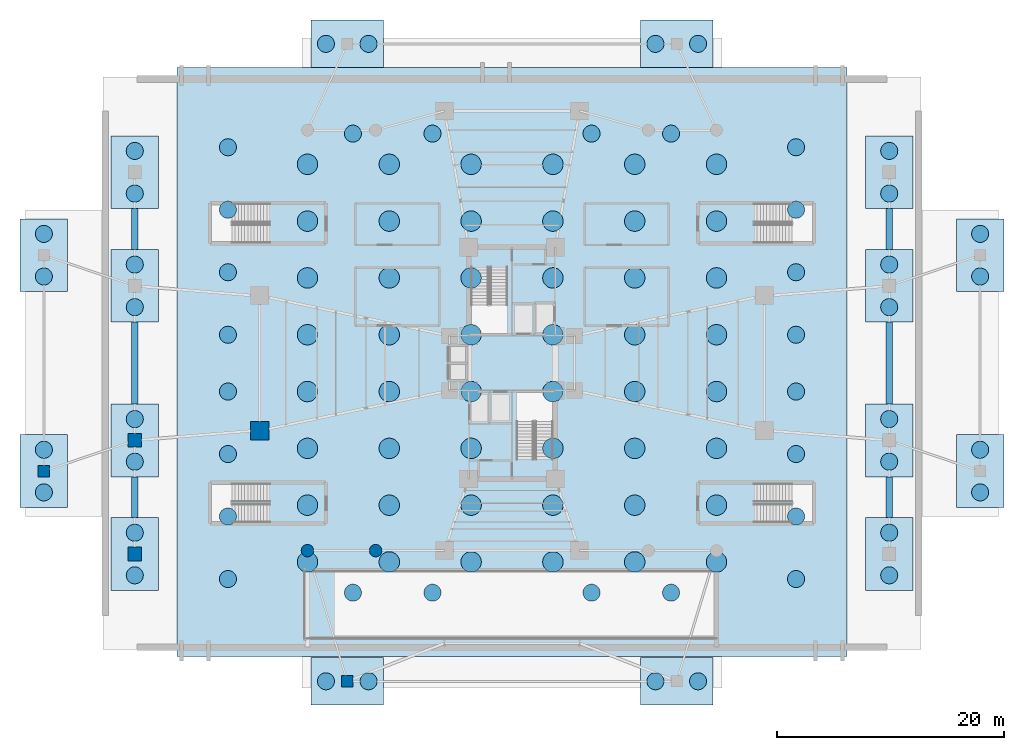
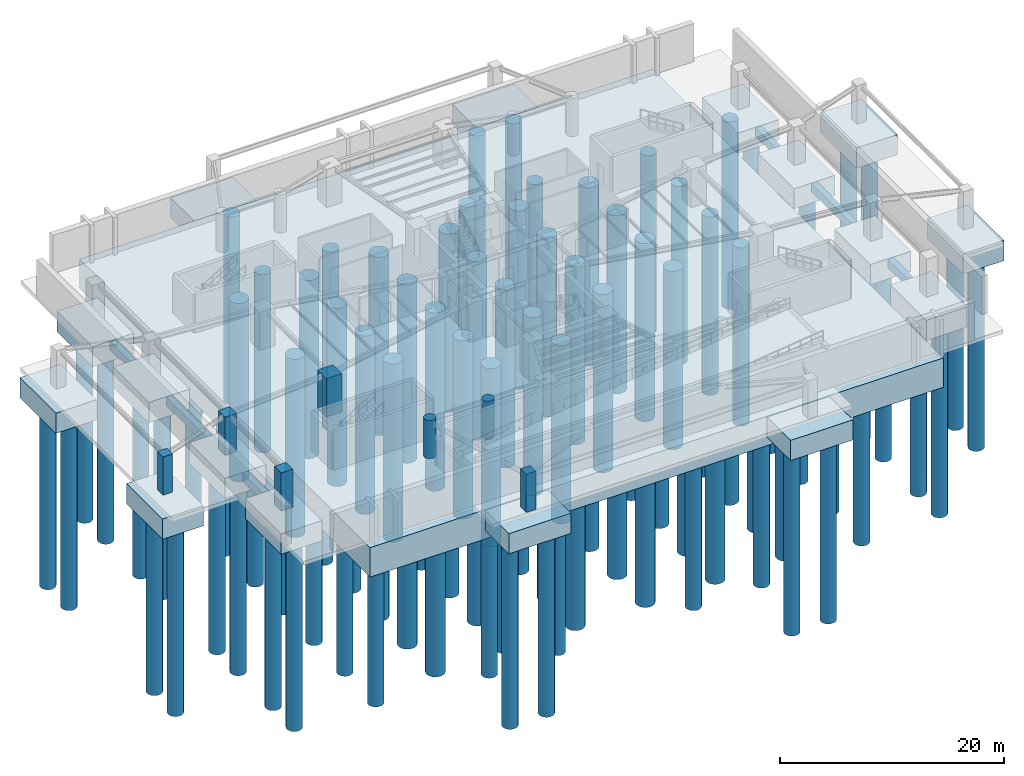
# One storey, part 1 of 15: 104 piles, 23 footings, 7 columns.
"""IFC4 building model written with IfcOpenShell, lengths in metres."""

from ifc_helpers import new_model, si_unit, direction, frame, origin, origin_2d, place, context, subcontext, project, spatial, polyline, rectangle, circle, outline, extrude, source, transform, mapped, material, layer, layer_set, material_profile, profile_set, type_object, element, save


model = new_model("IFC4")

# Units and contexts
model_context = context("Model", 3, precision=1e-05, world=origin(), true_north=direction((0.0, 1.0)))
body_context = subcontext(model_context, "Body", "Model", "MODEL_VIEW")
ifc_project = project(units=[si_unit("LENGTHUNIT", "METRE"), si_unit("AREAUNIT", "SQUARE_METRE"), si_unit("VOLUMEUNIT", "CUBIC_METRE"), si_unit("PLANEANGLEUNIT", "RADIAN"), si_unit("MASSUNIT", "GRAM", prefix="KILO")], contexts=[model_context])

# Site, building, storey
site_placement = place(None, origin())
site = spatial("IfcSite", under=ifc_project, at=site_placement, CompositionType="ELEMENT")
building_placement = place(site_placement, origin())
building = spatial("IfcBuilding", under=site, at=building_placement, Name="Sahyath Konkavel Grand Hotel", CompositionType="ELEMENT")
storey_placement = place(building_placement, frame((0.0, 0.0, -9.0)))
storey = spatial("IfcBuildingStorey", under=building, at=storey_placement, Name="B2", CompositionType="ELEMENT", Elevation=-9.0)

# Footings
ifc_material_1 = material(Name="Concrete C50/60", Category="concrete")
ifc_layer_1 = layer(ifc_material_1, 2.199951171875)
ifc_layer_set_1 = layer_set([ifc_layer_1], Name="Concrete C50/60")
footing_type_1 = type_object("IfcFootingType", Name="PCAP-6400", PredefinedType="PAD_FOOTING", material=ifc_layer_set_1)
footing_1_placement = place(storey_placement, frame((0.0, 0.0, -2.60009765625)))
element("IfcFooting", 1, at=footing_1_placement, inside=storey, type_object=footing_type_1, Name="Podium Perimeter Pile Cap PC-E1", PredefinedType="PAD_FOOTING", context=body_context, shape_type="SweptSolid", body=[
    extrude(outline(polyline([(31.10009765625, -20.0), (35.300048828125, -20.0), (35.300048828125, -13.60009765625), (31.10009765625, -13.60009765625), (31.10009765625, -20.0)])), origin(), (0.0, 0.0, 1.0), 2.2001953125),
])
footing_2_placement = place(storey_placement, frame((0.0, 0.0, -2.60009765625)))
element("IfcFooting", 2, at=footing_2_placement, inside=storey, type_object=footing_type_1, Name="Podium Perimeter Pile Cap PC-E2", PredefinedType="PAD_FOOTING", context=body_context, shape_type="SweptSolid", body=[
    extrude(outline(polyline([(31.10009765625, -10.0), (35.300048828125, -10.0), (35.300048828125, -3.60009765625), (31.10009765625, -3.60009765625), (31.10009765625, -10.0)])), origin(), (0.0, 0.0, 1.0), 2.2001953125),
])
footing_3_placement = place(storey_placement, frame((0.0, 0.0, -2.60009765625)))
element("IfcFooting", 3, at=footing_3_placement, inside=storey, type_object=footing_type_1, Name="Podium Perimeter Pile Cap PC-E3", PredefinedType="PAD_FOOTING", context=body_context, shape_type="SweptSolid", body=[
    extrude(outline(polyline([(31.10009765625, 3.60009765625), (35.300048828125, 3.60009765625), (35.300048828125, 10.0), (31.10009765625, 10.0), (31.10009765625, 3.60009765625)])), origin(), (0.0, 0.0, 1.0), 2.2001953125),
])
footing_4_placement = place(storey_placement, frame((0.0, 0.0, -2.60009765625)))
element("IfcFooting", 4, at=footing_4_placement, inside=storey, type_object=footing_type_1, Name="Podium Perimeter Pile Cap PC-E4", PredefinedType="PAD_FOOTING", context=body_context, shape_type="SweptSolid", body=[
    extrude(outline(polyline([(31.10009765625, 13.60009765625), (35.300048828125, 13.60009765625), (35.300048828125, 20.0), (31.10009765625, 20.0), (31.10009765625, 13.60009765625)])), origin(), (0.0, 0.0, 1.0), 2.2001953125),
])
footing_5_placement = place(storey_placement, frame((0.0, 0.0, -2.60009765625)))
element("IfcFooting", 5, at=footing_5_placement, inside=storey, type_object=footing_type_1, Name="Podium Perimeter Pile Cap PC-W1", PredefinedType="PAD_FOOTING", context=body_context, shape_type="SweptSolid", body=[
    extrude(outline(polyline([(-35.300048828125, -20.0), (-31.10009765625, -20.0), (-31.10009765625, -13.60009765625), (-35.300048828125, -13.60009765625), (-35.300048828125, -20.0)])), origin(), (0.0, 0.0, 1.0), 2.2001953125),
])
footing_6_placement = place(storey_placement, frame((0.0, 0.0, -2.60009765625)))
element("IfcFooting", 6, at=footing_6_placement, inside=storey, type_object=footing_type_1, Name="Podium Perimeter Pile Cap PC-W2", PredefinedType="PAD_FOOTING", context=body_context, shape_type="SweptSolid", body=[
    extrude(outline(polyline([(-35.300048828125, -10.0), (-31.10009765625, -10.0), (-31.10009765625, -3.60009765625), (-35.300048828125, -3.60009765625), (-35.300048828125, -10.0)])), origin(), (0.0, 0.0, 1.0), 2.2001953125),
])
footing_7_placement = place(storey_placement, frame((0.0, 0.0, -2.60009765625)))
element("IfcFooting", 7, at=footing_7_placement, inside=storey, type_object=footing_type_1, Name="Podium Perimeter Pile Cap PC-W3", PredefinedType="PAD_FOOTING", context=body_context, shape_type="SweptSolid", body=[
    extrude(outline(polyline([(-35.300048828125, 3.60009765625), (-31.10009765625, 3.60009765625), (-31.10009765625, 10.0), (-35.300048828125, 10.0), (-35.300048828125, 3.60009765625)])), origin(), (0.0, 0.0, 1.0), 2.2001953125),
])
footing_8_placement = place(storey_placement, frame((0.0, 0.0, -2.60009765625)))
element("IfcFooting", 8, at=footing_8_placement, inside=storey, type_object=footing_type_1, Name="Podium Perimeter Pile Cap PC-W4", PredefinedType="PAD_FOOTING", context=body_context, shape_type="SweptSolid", body=[
    extrude(outline(polyline([(-35.300048828125, 13.60009765625), (-31.10009765625, 13.60009765625), (-31.10009765625, 20.0), (-35.300048828125, 20.0), (-35.300048828125, 13.60009765625)])), origin(), (0.0, 0.0, 1.0), 2.2001953125),
])
footing_9_placement = place(storey_placement, frame((0.0, 0.0, -2.60009765625)))
element("IfcFooting", 9, at=footing_9_placement, inside=storey, type_object=footing_type_1, Name="Podium Perimeter Pile Cap PW-E1", PredefinedType="PAD_FOOTING", context=body_context, shape_type="SweptSolid", body=[
    extrude(outline(polyline([(39.10009765625, -12.699951171875), (43.300048828125, -12.699951171875), (43.300048828125, -6.300048828125), (39.10009765625, -6.300048828125), (39.10009765625, -12.699951171875)])), origin(), (0.0, 0.0, 1.0), 2.2001953125),
])
footing_10_placement = place(storey_placement, frame((0.0, 0.0, -2.60009765625)))
element("IfcFooting", 10, at=footing_10_placement, inside=storey, type_object=footing_type_1, Name="Podium Perimeter Pile Cap PW-E2", PredefinedType="PAD_FOOTING", context=body_context, shape_type="SweptSolid", body=[
    extrude(outline(polyline([(39.10009765625, 6.300048828125), (43.300048828125, 6.300048828125), (43.300048828125, 12.699951171875), (39.10009765625, 12.699951171875), (39.10009765625, 6.300048828125)])), origin(), (0.0, 0.0, 1.0), 2.2001953125),
])
footing_11_placement = place(storey_placement, frame((0.0, 0.0, -2.60009765625)))
element("IfcFooting", 11, at=footing_11_placement, inside=storey, type_object=footing_type_1, Name="Podium Perimeter Pile Cap PW-W1", PredefinedType="PAD_FOOTING", context=body_context, shape_type="SweptSolid", body=[
    extrude(outline(polyline([(-43.300048828125, -12.699951171875), (-39.10009765625, -12.699951171875), (-39.10009765625, -6.300048828125), (-43.300048828125, -6.300048828125), (-43.300048828125, -12.699951171875)])), origin(), (0.0, 0.0, 1.0), 2.2001953125),
])
footing_12_placement = place(storey_placement, frame((0.0, 0.0, -2.60009765625)))
element("IfcFooting", 12, at=footing_12_placement, inside=storey, type_object=footing_type_1, Name="Podium Perimeter Pile Cap PW-W2", PredefinedType="PAD_FOOTING", context=body_context, shape_type="SweptSolid", body=[
    extrude(outline(polyline([(-43.300048828125, 6.300048828125), (-39.10009765625, 6.300048828125), (-39.10009765625, 12.699951171875), (-43.300048828125, 12.699951171875), (-43.300048828125, 6.300048828125)])), origin(), (0.0, 0.0, 1.0), 2.2001953125),
])
footing_13_placement = place(storey_placement, frame((0.0, 0.0, -2.60009765625)))
element("IfcFooting", 13, at=footing_13_placement, inside=storey, type_object=footing_type_1, Name="Podium Perimeter Pile Cap PW-N1", PredefinedType="PAD_FOOTING", context=body_context, shape_type="SweptSolid", body=[
    extrude(outline(polyline([(-17.699951171875, 26.0), (-11.300048828125, 26.0), (-11.300048828125, 30.199951171875), (-17.699951171875, 30.199951171875), (-17.699951171875, 26.0)])), origin(), (0.0, 0.0, 1.0), 2.2001953125),
])
footing_14_placement = place(storey_placement, frame((0.0, 0.0, -2.60009765625)))
element("IfcFooting", 14, at=footing_14_placement, inside=storey, type_object=footing_type_1, Name="Podium Perimeter Pile Cap PW-N2", PredefinedType="PAD_FOOTING", context=body_context, shape_type="SweptSolid", body=[
    extrude(outline(polyline([(11.300048828125, 26.0), (17.699951171875, 26.0), (17.699951171875, 30.199951171875), (11.300048828125, 30.199951171875), (11.300048828125, 26.0)])), origin(), (0.0, 0.0, 1.0), 2.2001953125),
])
footing_15_placement = place(storey_placement, frame((0.0, 0.0, -2.60009765625)))
element("IfcFooting", 15, at=footing_15_placement, inside=storey, type_object=footing_type_1, Name="Podium Perimeter Pile Cap PW-S1", PredefinedType="PAD_FOOTING", context=body_context, shape_type="SweptSolid", body=[
    extrude(outline(polyline([(-17.699951171875, -30.10009765625), (-11.300048828125, -30.10009765625), (-11.300048828125, -25.89990234375), (-17.699951171875, -25.89990234375), (-17.699951171875, -30.10009765625)])), origin(), (0.0, 0.0, 1.0), 2.2001953125),
])
footing_16_placement = place(storey_placement, frame((0.0, 0.0, -2.60009765625)))
element("IfcFooting", 16, at=footing_16_placement, inside=storey, type_object=footing_type_1, Name="Podium Perimeter Pile Cap PW-S2", PredefinedType="PAD_FOOTING", context=body_context, shape_type="SweptSolid", body=[
    extrude(outline(polyline([(11.300048828125, -30.10009765625), (17.699951171875, -30.10009765625), (17.699951171875, -25.89990234375), (11.300048828125, -25.89990234375), (11.300048828125, -30.10009765625)])), origin(), (0.0, 0.0, 1.0), 2.2001953125),
])

# Piles
ifc_material_profile_1 = material_profile(ifc_material_1, circle(Radius=0.75, at=origin_2d()), Name="PILE D1500")
ifc_profile_set_1 = profile_set([ifc_material_profile_1], Name="Concrete C50/60")
pile_type_1 = type_object("IfcPileType", Name="PILE-1500", PredefinedType="BORED", material=ifc_profile_set_1)
for number, where, z_axis, x_axis, name in (
    (17, (-25.0, -19.0, -3.5), (0.0, 0.0, -1.0), (1.0, 0.0, 0.0), "Rock-Socketed Bored Pile P15-01"),
    (18, (-25.0, -13.5, -3.5), (0.0, 0.0, -1.0), (1.0, 0.0, 0.0), "Rock-Socketed Bored Pile P15-02"),
    (19, (-25.0, -8.0, -3.5), (0.0, 0.0, -1.0), (1.0, 0.0, 0.0), "Rock-Socketed Bored Pile P15-03"),
    (20, (-25.0, -2.5, -3.5), (0.0, 0.0, -1.0), (1.0, 0.0, 0.0), "Rock-Socketed Bored Pile P15-04"),
    (21, (-25.0, 2.5, -3.5), (0.0, 0.0, -1.0), (1.0, 0.0, 0.0), "Rock-Socketed Bored Pile P15-05"),
    (22, (-25.0, 8.0, -3.5), (0.0, 0.0, -1.0), (1.0, 0.0, 0.0), "Rock-Socketed Bored Pile P15-06"),
    (23, (-25.0, 13.5, -3.5), (0.0, 0.0, -1.0), (1.0, 0.0, 0.0), "Rock-Socketed Bored Pile P15-07"),
    (24, (-25.0, 19.0, -3.5), (0.0, 0.0, -1.0), (1.0, 0.0, 0.0), "Rock-Socketed Bored Pile P15-08"),
    (25, (25.0, -19.0, -3.5), (0.0, 0.0, -1.0), (1.0, 0.0, 0.0), "Rock-Socketed Bored Pile P15-09"),
    (26, (25.0, -13.5, -3.5), (0.0, 0.0, -1.0), (1.0, 0.0, 0.0), "Rock-Socketed Bored Pile P15-10"),
    (27, (25.0, -8.0, -3.5), (0.0, 0.0, -1.0), (1.0, 0.0, 0.0), "Rock-Socketed Bored Pile P15-11"),
    (28, (25.0, -2.5, -3.5), (0.0, 0.0, -1.0), (1.0, 0.0, 0.0), "Rock-Socketed Bored Pile P15-12"),
    (29, (25.0, 2.5, -3.5), (0.0, 0.0, -1.0), (1.0, 0.0, 0.0), "Rock-Socketed Bored Pile P15-13"),
    (30, (25.0, 8.0, -3.5), (0.0, 0.0, -1.0), (1.0, 0.0, 0.0), "Rock-Socketed Bored Pile P15-14"),
    (31, (25.0, 13.5, -3.5), (0.0, 0.0, -1.0), (1.0, 0.0, 0.0), "Rock-Socketed Bored Pile P15-15"),
    (32, (25.0, 19.0, -3.5), (0.0, 0.0, -1.0), (1.0, 0.0, 0.0), "Rock-Socketed Bored Pile P15-16"),
    (33, (-14.0, -20.199951171875, -3.5), (0.0, 0.0, -1.0), (1.0, 0.0, 0.0), "Rock-Socketed Bored Pile P15-17"),
    (34, (-14.0, 20.199951171875, -3.5), (0.0, 0.0, -1.0), (1.0, 0.0, 0.0), "Rock-Socketed Bored Pile P15-18"),
    (35, (-7.0, -20.199951171875, -3.5), (0.0, 0.0, -1.0), (1.0, 0.0, 0.0), "Rock-Socketed Bored Pile P15-19"),
    (36, (-7.0, 20.199951171875, -3.5), (0.0, 0.0, -1.0), (1.0, 0.0, 0.0), "Rock-Socketed Bored Pile P15-20"),
    (37, (7.0, -20.199951171875, -3.5), (0.0, 0.0, -1.0), (1.0, 0.0, 0.0), "Rock-Socketed Bored Pile P15-21"),
    (38, (7.0, 20.199951171875, -3.5), (0.0, 0.0, -1.0), (1.0, 0.0, 0.0), "Rock-Socketed Bored Pile P15-22"),
    (39, (14.0, -20.199951171875, -3.5), (0.0, 0.0, -1.0), (1.0, 0.0, 0.0), "Rock-Socketed Bored Pile P15-23"),
    (40, (14.0, 20.199951171875, -3.5), (0.0, 0.0, -1.0), (1.0, 0.0, 0.0), "Rock-Socketed Bored Pile P15-24"),
):
    element("IfcPile", number, at=place(storey_placement, frame(where, z_axis=z_axis, x_axis=x_axis)), inside=storey, type_object=pile_type_1, Name=name, PredefinedType="BORED", context=body_context, shape_type="SweptSolid", body=[
        extrude(circle(Radius=0.75, at=origin_2d()), origin(), (0.0, 0.0, 1.0), 19.39990234375),
    ])
for number, where, z_axis, x_axis, name in (
    (41, (33.199951171875, -18.675048828125, -2.5), (0.0, 0.0, -1.0), (1.0, 0.0, 0.0), "Rock-Socketed Bored Pile P15-25"),
    (42, (33.199951171875, -14.925048828125, -2.5), (0.0, 0.0, -1.0), (1.0, 0.0, 0.0), "Rock-Socketed Bored Pile P15-26"),
    (43, (33.199951171875, -8.675048828125, -2.5), (0.0, 0.0, -1.0), (1.0, 0.0, 0.0), "Rock-Socketed Bored Pile P15-27"),
    (44, (33.199951171875, -4.925048828125, -2.5), (0.0, 0.0, -1.0), (1.0, 0.0, 0.0), "Rock-Socketed Bored Pile P15-28"),
    (45, (33.199951171875, 4.925048828125, -2.5), (0.0, 0.0, -1.0), (1.0, 0.0, 0.0), "Rock-Socketed Bored Pile P15-29"),
    (46, (33.199951171875, 8.675048828125, -2.5), (0.0, 0.0, -1.0), (1.0, 0.0, 0.0), "Rock-Socketed Bored Pile P15-30"),
    (47, (33.199951171875, 14.925048828125, -2.5), (0.0, 0.0, -1.0), (1.0, 0.0, 0.0), "Rock-Socketed Bored Pile P15-31"),
    (48, (33.199951171875, 18.675048828125, -2.5), (0.0, 0.0, -1.0), (1.0, 0.0, 0.0), "Rock-Socketed Bored Pile P15-32"),
    (49, (-33.199951171875, -18.675048828125, -2.5), (0.0, 0.0, -1.0), (1.0, 0.0, 0.0), "Rock-Socketed Bored Pile P15-33"),
    (50, (-33.199951171875, -14.925048828125, -2.5), (0.0, 0.0, -1.0), (1.0, 0.0, 0.0), "Rock-Socketed Bored Pile P15-34"),
    (51, (-33.199951171875, -8.675048828125, -2.5), (0.0, 0.0, -1.0), (1.0, 0.0, 0.0), "Rock-Socketed Bored Pile P15-35"),
    (52, (-33.199951171875, -4.925048828125, -2.5), (0.0, 0.0, -1.0), (1.0, 0.0, 0.0), "Rock-Socketed Bored Pile P15-36"),
    (53, (-33.199951171875, 4.925048828125, -2.5), (0.0, 0.0, -1.0), (1.0, 0.0, 0.0), "Rock-Socketed Bored Pile P15-37"),
    (54, (-33.199951171875, 8.675048828125, -2.5), (0.0, 0.0, -1.0), (1.0, 0.0, 0.0), "Rock-Socketed Bored Pile P15-38"),
    (55, (-33.199951171875, 14.925048828125, -2.5), (0.0, 0.0, -1.0), (1.0, 0.0, 0.0), "Rock-Socketed Bored Pile P15-39"),
    (56, (-33.199951171875, 18.675048828125, -2.5), (0.0, 0.0, -1.0), (1.0, 0.0, 0.0), "Rock-Socketed Bored Pile P15-40"),
    (57, (41.199951171875, -11.375, -2.5), (0.0, 0.0, -1.0), (1.0, 0.0, 0.0), "Rock-Socketed Bored Pile P15-41"),
    (58, (41.199951171875, -7.625, -2.5), (0.0, 0.0, -1.0), (1.0, 0.0, 0.0), "Rock-Socketed Bored Pile P15-42"),
    (59, (41.199951171875, 7.625, -2.5), (0.0, 0.0, -1.0), (1.0, 0.0, 0.0), "Rock-Socketed Bored Pile P15-43"),
    (60, (41.199951171875, 11.375, -2.5), (0.0, 0.0, -1.0), (1.0, 0.0, 0.0), "Rock-Socketed Bored Pile P15-44"),
    (61, (-41.199951171875, -11.375, -2.5), (0.0, 0.0, -1.0), (1.0, 0.0, 0.0), "Rock-Socketed Bored Pile P15-45"),
    (62, (-41.199951171875, -7.625, -2.5), (0.0, 0.0, -1.0), (1.0, 0.0, 0.0), "Rock-Socketed Bored Pile P15-46"),
    (63, (-41.199951171875, 7.625, -2.5), (0.0, 0.0, -1.0), (1.0, 0.0, 0.0), "Rock-Socketed Bored Pile P15-47"),
    (64, (-41.199951171875, 11.375, -2.5), (0.0, 0.0, -1.0), (1.0, 0.0, 0.0), "Rock-Socketed Bored Pile P15-48"),
    (65, (-16.375, 28.10009765625, -2.5), (0.0, 0.0, -1.0), (1.0, 0.0, 0.0), "Rock-Socketed Bored Pile P15-49"),
    (66, (-12.625, 28.10009765625, -2.5), (0.0, 0.0, -1.0), (1.0, 0.0, 0.0), "Rock-Socketed Bored Pile P15-50"),
    (67, (12.625, 28.10009765625, -2.5), (0.0, 0.0, -1.0), (1.0, 0.0, 0.0), "Rock-Socketed Bored Pile P15-51"),
    (68, (16.375, 28.10009765625, -2.5), (0.0, 0.0, -1.0), (1.0, 0.0, 0.0), "Rock-Socketed Bored Pile P15-52"),
    (69, (-16.375, -28.0, -2.5), (0.0, 0.0, -1.0), (1.0, 0.0, 0.0), "Rock-Socketed Bored Pile P15-53"),
    (70, (-12.625, -28.0, -2.5), (0.0, 0.0, -1.0), (1.0, 0.0, 0.0), "Rock-Socketed Bored Pile P15-54"),
    (71, (12.625, -28.0, -2.5), (0.0, 0.0, -1.0), (1.0, 0.0, 0.0), "Rock-Socketed Bored Pile P15-55"),
    (72, (16.375, -28.0, -2.5), (0.0, 0.0, -1.0), (1.0, 0.0, 0.0), "Rock-Socketed Bored Pile P15-56"),
):
    element("IfcPile", number, at=place(storey_placement, frame(where, z_axis=z_axis, x_axis=x_axis)), inside=storey, type_object=pile_type_1, Name=name, PredefinedType="BORED", context=body_context, shape_type="SweptSolid", body=[
        extrude(circle(Radius=0.75, at=origin_2d()), origin(), (0.0, 0.0, 1.0), 20.39990234375),
    ])
ifc_material_profile_2 = material_profile(ifc_material_1, circle(Radius=0.89990234375, at=origin_2d()), Name="PILE D1800")
ifc_profile_set_2 = profile_set([ifc_material_profile_2], Name="Concrete C50/60")
pile_type_2 = type_object("IfcPileType", Name="PILE-1800", PredefinedType="BORED", material=ifc_profile_set_2)
for number, where, z_axis, x_axis, name in (
    (73, (-18.0, -17.5, -3.5), (0.0, 0.0, -1.0), (1.0, 0.0, 0.0), "Rock-Socketed Bored Pile P18-01"),
    (74, (-18.0, -12.5, -3.5), (0.0, 0.0, -1.0), (1.0, 0.0, 0.0), "Rock-Socketed Bored Pile P18-02"),
    (75, (-18.0, -7.5, -3.5), (0.0, 0.0, -1.0), (1.0, 0.0, 0.0), "Rock-Socketed Bored Pile P18-03"),
    (76, (-18.0, -2.5, -3.5), (0.0, 0.0, -1.0), (1.0, 0.0, 0.0), "Rock-Socketed Bored Pile P18-04"),
    (77, (-18.0, 2.5, -3.5), (0.0, 0.0, -1.0), (1.0, 0.0, 0.0), "Rock-Socketed Bored Pile P18-05"),
    (78, (-18.0, 7.5, -3.5), (0.0, 0.0, -1.0), (1.0, 0.0, 0.0), "Rock-Socketed Bored Pile P18-06"),
    (79, (-18.0, 12.5, -3.5), (0.0, 0.0, -1.0), (1.0, 0.0, 0.0), "Rock-Socketed Bored Pile P18-07"),
    (80, (-18.0, 17.5, -3.5), (0.0, 0.0, -1.0), (1.0, 0.0, 0.0), "Rock-Socketed Bored Pile P18-08"),
    (81, (-10.800048828125, -17.5, -3.5), (0.0, 0.0, -1.0), (1.0, 0.0, 0.0), "Rock-Socketed Bored Pile P18-09"),
    (82, (-10.800048828125, -12.5, -3.5), (0.0, 0.0, -1.0), (1.0, 0.0, 0.0), "Rock-Socketed Bored Pile P18-10"),
    (83, (-10.800048828125, -7.5, -3.5), (0.0, 0.0, -1.0), (1.0, 0.0, 0.0), "Rock-Socketed Bored Pile P18-11"),
    (84, (-10.800048828125, -2.5, -3.5), (0.0, 0.0, -1.0), (1.0, 0.0, 0.0), "Rock-Socketed Bored Pile P18-12"),
    (85, (-10.800048828125, 2.5, -3.5), (0.0, 0.0, -1.0), (1.0, 0.0, 0.0), "Rock-Socketed Bored Pile P18-13"),
    (86, (-10.800048828125, 7.5, -3.5), (0.0, 0.0, -1.0), (1.0, 0.0, 0.0), "Rock-Socketed Bored Pile P18-14"),
    (87, (-10.800048828125, 12.5, -3.5), (0.0, 0.0, -1.0), (1.0, 0.0, 0.0), "Rock-Socketed Bored Pile P18-15"),
    (88, (-10.800048828125, 17.5, -3.5), (0.0, 0.0, -1.0), (1.0, 0.0, 0.0), "Rock-Socketed Bored Pile P18-16"),
    (89, (-3.60009765625, -17.5, -3.5), (0.0, 0.0, -1.0), (1.0, 0.0, 0.0), "Rock-Socketed Bored Pile P18-17"),
    (90, (-3.60009765625, -12.5, -3.5), (0.0, 0.0, -1.0), (1.0, 0.0, 0.0), "Rock-Socketed Bored Pile P18-18"),
    (91, (-3.60009765625, -7.5, -3.5), (0.0, 0.0, -1.0), (1.0, 0.0, 0.0), "Rock-Socketed Bored Pile P18-19"),
    (92, (-3.60009765625, -2.5, -3.5), (0.0, 0.0, -1.0), (1.0, 0.0, 0.0), "Rock-Socketed Bored Pile P18-20"),
    (93, (-3.60009765625, 2.5, -3.5), (0.0, 0.0, -1.0), (1.0, 0.0, 0.0), "Rock-Socketed Bored Pile P18-21"),
    (94, (-3.60009765625, 7.5, -3.5), (0.0, 0.0, -1.0), (1.0, 0.0, 0.0), "Rock-Socketed Bored Pile P18-22"),
    (95, (-3.60009765625, 12.5, -3.5), (0.0, 0.0, -1.0), (1.0, 0.0, 0.0), "Rock-Socketed Bored Pile P18-23"),
    (96, (-3.60009765625, 17.5, -3.5), (0.0, 0.0, -1.0), (1.0, 0.0, 0.0), "Rock-Socketed Bored Pile P18-24"),
    (97, (3.60009765625, -17.5, -3.5), (0.0, 0.0, -1.0), (1.0, 0.0, 0.0), "Rock-Socketed Bored Pile P18-25"),
    (98, (3.60009765625, -12.5, -3.5), (0.0, 0.0, -1.0), (1.0, 0.0, 0.0), "Rock-Socketed Bored Pile P18-26"),
    (99, (3.60009765625, -7.5, -3.5), (0.0, 0.0, -1.0), (1.0, 0.0, 0.0), "Rock-Socketed Bored Pile P18-27"),
    (100, (3.60009765625, -2.5, -3.5), (0.0, 0.0, -1.0), (1.0, 0.0, 0.0), "Rock-Socketed Bored Pile P18-28"),
    (101, (3.60009765625, 2.5, -3.5), (0.0, 0.0, -1.0), (1.0, 0.0, 0.0), "Rock-Socketed Bored Pile P18-29"),
    (102, (3.60009765625, 7.5, -3.5), (0.0, 0.0, -1.0), (1.0, 0.0, 0.0), "Rock-Socketed Bored Pile P18-30"),
    (103, (3.60009765625, 12.5, -3.5), (0.0, 0.0, -1.0), (1.0, 0.0, 0.0), "Rock-Socketed Bored Pile P18-31"),
    (104, (3.60009765625, 17.5, -3.5), (0.0, 0.0, -1.0), (1.0, 0.0, 0.0), "Rock-Socketed Bored Pile P18-32"),
    (105, (10.800048828125, -17.5, -3.5), (0.0, 0.0, -1.0), (1.0, 0.0, 0.0), "Rock-Socketed Bored Pile P18-33"),
    (106, (10.800048828125, -12.5, -3.5), (0.0, 0.0, -1.0), (1.0, 0.0, 0.0), "Rock-Socketed Bored Pile P18-34"),
    (107, (10.800048828125, -7.5, -3.5), (0.0, 0.0, -1.0), (1.0, 0.0, 0.0), "Rock-Socketed Bored Pile P18-35"),
    (108, (10.800048828125, -2.5, -3.5), (0.0, 0.0, -1.0), (1.0, 0.0, 0.0), "Rock-Socketed Bored Pile P18-36"),
    (109, (10.800048828125, 2.5, -3.5), (0.0, 0.0, -1.0), (1.0, 0.0, 0.0), "Rock-Socketed Bored Pile P18-37"),
    (110, (10.800048828125, 7.5, -3.5), (0.0, 0.0, -1.0), (1.0, 0.0, 0.0), "Rock-Socketed Bored Pile P18-38"),
    (111, (10.800048828125, 12.5, -3.5), (0.0, 0.0, -1.0), (1.0, 0.0, 0.0), "Rock-Socketed Bored Pile P18-39"),
    (112, (10.800048828125, 17.5, -3.5), (0.0, 0.0, -1.0), (1.0, 0.0, 0.0), "Rock-Socketed Bored Pile P18-40"),
    (113, (18.0, -17.5, -3.5), (0.0, 0.0, -1.0), (1.0, 0.0, 0.0), "Rock-Socketed Bored Pile P18-41"),
    (114, (18.0, -12.5, -3.5), (0.0, 0.0, -1.0), (1.0, 0.0, 0.0), "Rock-Socketed Bored Pile P18-42"),
    (115, (18.0, -7.5, -3.5), (0.0, 0.0, -1.0), (1.0, 0.0, 0.0), "Rock-Socketed Bored Pile P18-43"),
    (116, (18.0, -2.5, -3.5), (0.0, 0.0, -1.0), (1.0, 0.0, 0.0), "Rock-Socketed Bored Pile P18-44"),
    (117, (18.0, 2.5, -3.5), (0.0, 0.0, -1.0), (1.0, 0.0, 0.0), "Rock-Socketed Bored Pile P18-45"),
    (118, (18.0, 7.5, -3.5), (0.0, 0.0, -1.0), (1.0, 0.0, 0.0), "Rock-Socketed Bored Pile P18-46"),
    (119, (18.0, 12.5, -3.5), (0.0, 0.0, -1.0), (1.0, 0.0, 0.0), "Rock-Socketed Bored Pile P18-47"),
    (120, (18.0, 17.5, -3.5), (0.0, 0.0, -1.0), (1.0, 0.0, 0.0), "Rock-Socketed Bored Pile P18-48"),
):
    element("IfcPile", number, at=place(storey_placement, frame(where, z_axis=z_axis, x_axis=x_axis)), inside=storey, type_object=pile_type_2, Name=name, PredefinedType="BORED", context=body_context, shape_type="SweptSolid", body=[
        extrude(circle(Radius=0.89990234375, at=origin_2d()), origin(), (0.0, 0.0, 1.0), 19.39990234375),
    ])

# Footings
ifc_layer_2 = layer(ifc_material_1, 3.199951171875)
ifc_layer_set_2 = layer_set([ifc_layer_2], Name="Concrete C50/60")
footing_type_2 = type_object("IfcFootingType", Name="RAFT-3200", PredefinedType="PILE_CAP", material=ifc_layer_set_2)
footing_17_placement = place(storey_placement, frame((0.0, 0.0, -3.60009765625)))
element("IfcFooting", 121, at=footing_17_placement, inside=storey, type_object=footing_type_2, Name="B2 Piled Raft Foundation", PredefinedType="PILE_CAP", context=body_context, shape_type="SweptSolid", body=[
    extrude(outline(polyline([(-29.5, -25.800048828125), (29.5, -25.800048828125), (29.5, 26.0), (-29.5, 26.0), (-29.5, -25.800048828125)])), origin(), (0.0, 0.0, 1.0), 3.2001953125),
])
ifc_material_profile_3 = material_profile(ifc_material_1, rectangle(XDim=0.60009765625, YDim=0.89990234375, at=origin_2d()), Name="RC 600x900")
ifc_profile_set_3 = profile_set([ifc_material_profile_3], Name="Concrete C50/60")
footing_type_3 = type_object("IfcFootingType", Name="FTG-TIE-600x900", PredefinedType="FOOTING_BEAM", material=ifc_profile_set_3)
shared_shape_1 = source(origin(), body_context, "Body", "SweptSolid", [
    extrude(rectangle(XDim=0.60009765625, YDim=0.89990234375, at=origin_2d()), origin(), (0.0, 0.0, 1.0), 3.60009765625),
])
for number, where, z_axis, x_axis, name in (
    (122, (33.199951171875, -13.60009765625, -0.89990234375), (0.0, 1.0, 0.0), (-1.0, 0.0, 0.0), "Foundation Ground Tie Beam GTB-E1"),
    (123, (33.199951171875, 10.0, -0.89990234375), (0.0, 1.0, 0.0), (-1.0, 0.0, 0.0), "Foundation Ground Tie Beam GTB-E3"),
    (124, (-33.199951171875, -13.60009765625, -0.89990234375), (0.0, 1.0, 0.0), (-1.0, 0.0, 0.0), "Foundation Ground Tie Beam GTB-W1"),
    (125, (-33.199951171875, 10.0, -0.89990234375), (0.0, 1.0, 0.0), (-1.0, 0.0, 0.0), "Foundation Ground Tie Beam GTB-W3"),
):
    element("IfcFooting", number, at=place(storey_placement, frame(where, z_axis=z_axis, x_axis=x_axis)), inside=storey, type_object=footing_type_3, Name=name, PredefinedType="FOOTING_BEAM", context=body_context, shape_type="MappedRepresentation", body=[
        mapped(shared_shape_1, transform((0.0, 0.0, 0.0), scale=1.0)),
    ])
shared_shape_2 = source(origin(), body_context, "Body", "SweptSolid", [
    extrude(rectangle(XDim=0.60009765625, YDim=0.89990234375, at=origin_2d()), origin(), (0.0, 0.0, 1.0), 7.2001953125),
])
for number, where, z_axis, x_axis, name in (
    (126, (33.199951171875, -3.60009765625, -0.89990234375), (0.0, 1.0, 0.0), (-1.0, 0.0, 0.0), "Foundation Ground Tie Beam GTB-E2"),
    (127, (-33.199951171875, -3.60009765625, -0.89990234375), (0.0, 1.0, 0.0), (-1.0, 0.0, 0.0), "Foundation Ground Tie Beam GTB-W2"),
):
    element("IfcFooting", number, at=place(storey_placement, frame(where, z_axis=z_axis, x_axis=x_axis)), inside=storey, type_object=footing_type_3, Name=name, PredefinedType="FOOTING_BEAM", context=body_context, shape_type="MappedRepresentation", body=[
        mapped(shared_shape_2, transform((0.0, 0.0, 0.0), scale=1.0)),
    ])

# Columns
ifc_material_2 = material(Name="Concrete C70/85", Category="concrete")
ifc_material_profile_4 = material_profile(ifc_material_2, rectangle(XDim=1.60009765625, YDim=1.60009765625, at=origin_2d()), Name="RC 1600x1600")
ifc_profile_set_4 = profile_set([ifc_material_profile_4], Name="Concrete C70/85")
column_type_1 = type_object("IfcColumnType", Name="COL-RC1600", PredefinedType="COLUMN", material=ifc_profile_set_4)
shared_shape_3 = source(origin(), body_context, "Body", "SweptSolid", [
    extrude(rectangle(XDim=1.60009765625, YDim=1.60009765625, at=origin_2d()), origin(), (0.0, 0.0, 1.0), 4.14990234375),
])
column_placement = place(storey_placement, frame((-22.199951171875, -5.949951171875, 0.0), z_axis=(0.0, 0.0, 1.0), x_axis=(1.0, 0.0, 0.0)))
element("IfcColumn", 128, at=column_placement, inside=storey, type_object=column_type_1, Name="B2 Ballroom Mega-Column MC-WB", PredefinedType="COLUMN", context=body_context, shape_type="MappedRepresentation", body=[
    mapped(shared_shape_3, transform((0.0, 0.0, 0.0), scale=1.0)),
])
ifc_material_profile_5 = material_profile(ifc_material_1, rectangle(XDim=1.199951171875, YDim=1.199951171875, at=origin_2d()), Name="RC 1200x1200")
ifc_profile_set_5 = profile_set([ifc_material_profile_5], Name="Concrete C50/60")
column_type_2 = type_object("IfcColumnType", Name="COL-RC1200", PredefinedType="COLUMN", material=ifc_profile_set_5)
shared_shape_4 = source(origin(), body_context, "Body", "SweptSolid", [
    extrude(rectangle(XDim=1.199951171875, YDim=1.199951171875, at=origin_2d()), origin(), (0.0, 0.0, 1.0), 4.14990234375),
])
for number, where, z_axis, x_axis, name in (
    (129, (-33.199951171875, -16.800048828125, 0.0), (0.0, 0.0, 1.0), (1.0, 0.0, 0.0), "B2 Podium Perimeter Column PC-W1"),
    (130, (-33.199951171875, -6.800048828125, 0.0), (0.0, 0.0, 1.0), (1.0, 0.0, 0.0), "B2 Podium Perimeter Column PC-W2"),
):
    element("IfcColumn", number, at=place(storey_placement, frame(where, z_axis=z_axis, x_axis=x_axis)), inside=storey, type_object=column_type_2, Name=name, PredefinedType="COLUMN", context=body_context, shape_type="MappedRepresentation", body=[
        mapped(shared_shape_4, transform((0.0, 0.0, 0.0), scale=1.0)),
    ])
ifc_material_profile_6 = material_profile(ifc_material_2, circle(Radius=0.550048828125, at=origin_2d()), Name="RC D1100")
ifc_profile_set_6 = profile_set([ifc_material_profile_6], Name="Concrete C70/85")
column_type_3 = type_object("IfcColumnType", Name="COL-RCD1100", PredefinedType="COLUMN", material=ifc_profile_set_6)
shared_shape_5 = source(origin(), body_context, "Body", "SweptSolid", [
    extrude(circle(Radius=0.550048828125, at=origin_2d()), origin(), (0.0, 0.0, 1.0), 4.14990234375),
])
for number, where, z_axis, x_axis, name in (
    (131, (-18.0, -16.5, 0.0), (0.0, 0.0, 1.0), (1.0, 0.0, 0.0), "B2 Sandstone Colonnade Pier CL-S1"),
    (132, (-12.0, -16.5, 0.0), (0.0, 0.0, 1.0), (1.0, 0.0, 0.0), "B2 Sandstone Colonnade Pier CL-S2"),
):
    element("IfcColumn", number, at=place(storey_placement, frame(where, z_axis=z_axis, x_axis=x_axis)), inside=storey, type_object=column_type_3, Name=name, PredefinedType="COLUMN", context=body_context, shape_type="MappedRepresentation", body=[
        mapped(shared_shape_5, transform((0.0, 0.0, 0.0), scale=1.0)),
    ])
ifc_material_profile_7 = material_profile(ifc_material_1, rectangle(XDim=1.0, YDim=1.0, at=origin_2d()), Name="RC 1000x1000")
ifc_profile_set_7 = profile_set([ifc_material_profile_7], Name="Concrete C50/60")
column_type_4 = type_object("IfcColumnType", Name="COL-RC1000", PredefinedType="COLUMN", material=ifc_profile_set_7)
shared_shape_6 = source(origin(), body_context, "Body", "SweptSolid", [
    extrude(rectangle(XDim=1.0, YDim=1.0, at=origin_2d()), origin(), (0.0, 0.0, 1.0), 4.14990234375),
])
for number, where, z_axis, x_axis, name in (
    (133, (-41.199951171875, -9.5, 0.0), (0.0, 0.0, 1.0), (1.0, 0.0, 0.0), "B2 Metro Portal Wing Column PW-W1"),
    (134, (-14.5, -28.0, 0.0), (0.0, 0.0, 1.0), (1.0, 0.0, 0.0), "B2 Metro Portal Wing Column PW-S1"),
):
    element("IfcColumn", number, at=place(storey_placement, frame(where, z_axis=z_axis, x_axis=x_axis)), inside=storey, type_object=column_type_4, Name=name, PredefinedType="COLUMN", context=body_context, shape_type="MappedRepresentation", body=[
        mapped(shared_shape_6, transform((0.0, 0.0, 0.0), scale=1.0)),
    ])

save(model, "model.ifc")
